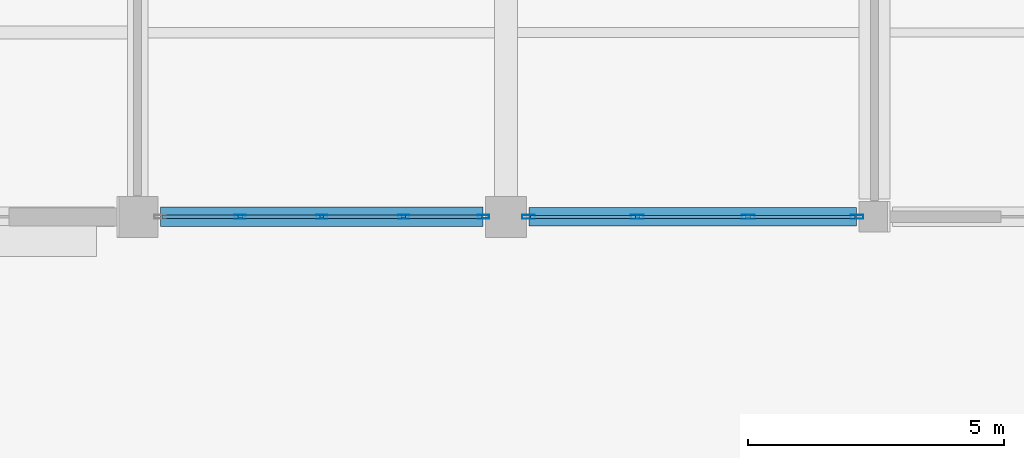
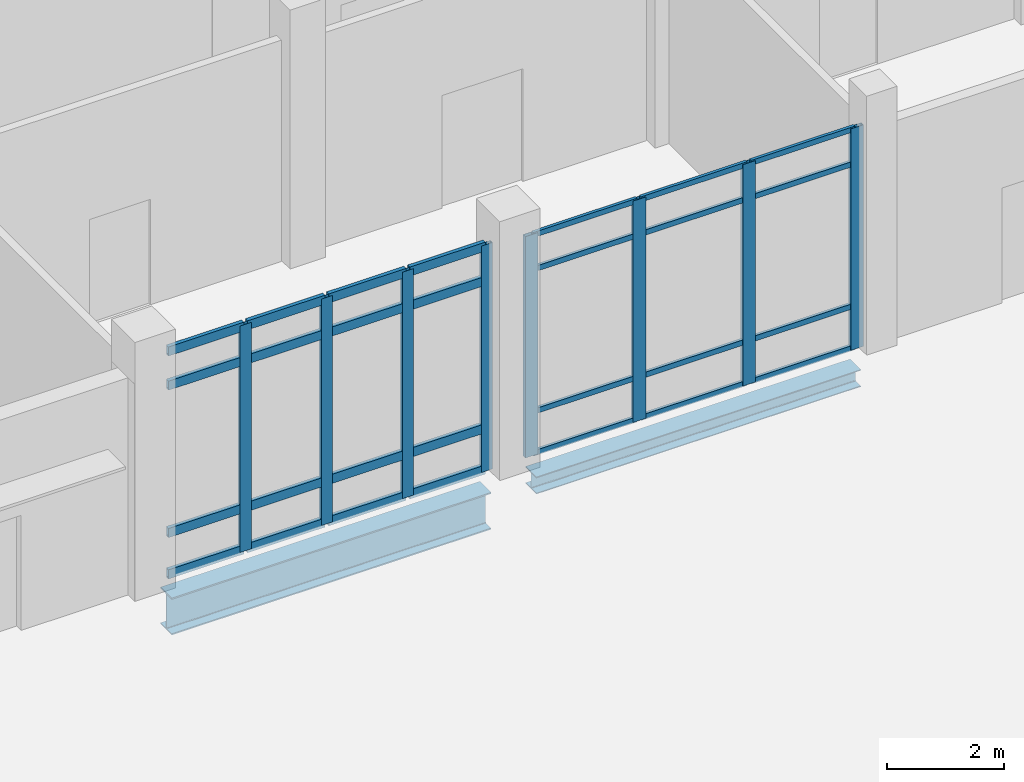
# One storey, part 130 of 229: 36 members, 2 beams, 2 elements without a shape of their own.
"""IFC4 building model written with IfcOpenShell, lengths in metres."""

import ifcopenshell
import ifcopenshell.guid

model = None  # the IFC model being written
_history = None  # IfcOwnerHistory: only IFC2X3 demands one
_inside = {}  # id of a spatial element -> (the spatial element, [elements in it])
_under = {}  # id of a project, library or spatial element -> (it, [spatial elements below it])
_declared = {}  # id of a project -> (the project, [libraries it declares])
_typed = {}  # id of a type object -> (the type object, [elements of that type])
_made_of = {}  # id of a material, layer set ... -> (it, [elements and type objects made of it])


def new_model(schema):
    """Start an empty IFC model of exactly this schema.

    Asked for "IFC4X3", IfcOpenShell would pick the latest addendum, in which some entities
    have other attributes; the version numbers below select the first issue.
    IFC2X3 requires an IfcOwnerHistory on every rooted entity: one is made here for all.
    """
    global model, _history
    if schema == "IFC4X3":
        model = ifcopenshell.file(schema_version=(4, 3, 0, 0))
    else:
        model = ifcopenshell.file(schema=schema)
    _inside.clear()
    _under.clear()
    _declared.clear()
    _typed.clear()
    _made_of.clear()
    _history = None
    if model.schema == "IFC2X3":
        org = make("IfcOrganization", Name="unknown")
        user = make(
            "IfcPersonAndOrganization",
            ThePerson=make("IfcPerson", FamilyName="unknown"),
            TheOrganization=org,
        )
        app = make(
            "IfcApplication",
            ApplicationDeveloper=org,
            Version="unknown",
            ApplicationFullName="unknown",
            ApplicationIdentifier="unknown",
        )
        _history = make(
            "IfcOwnerHistory",
            OwningUser=user,
            OwningApplication=app,
            ChangeAction="ADDED",
            CreationDate=0,
        )
    return model


def make(cls, **values):
    """One entity of the class cls with the attributes given. An attribute that is None is left unset."""
    return model.create_entity(
        cls, **{name: value for name, value in values.items() if value is not None}
    )


def rooted(cls, **values):
    """An entity with a GlobalId (a new one), such as an element, a storey or a relation."""
    return make(cls, GlobalId=ifcopenshell.guid.new(), OwnerHistory=_history, **values)


def si_unit(unit_type, name, prefix=None):
    """IfcSIUnit, for example si_unit("LENGTHUNIT", "METRE", prefix="MILLI")."""
    return make("IfcSIUnit", UnitType=unit_type, Prefix=prefix, Name=name)


def assignment(units):
    """IfcUnitAssignment: the units of a project."""
    return None if units is None else make("IfcUnitAssignment", Units=units)


def point(xyz):
    """IfcCartesianPoint."""
    return None if xyz is None else make("IfcCartesianPoint", Coordinates=xyz)


def direction(xyz):
    """IfcDirection."""
    return None if xyz is None else make("IfcDirection", DirectionRatios=xyz)


def frame(location, z_axis=None, x_axis=None):
    """IfcAxis2Placement3D, a coordinate frame: its origin and axes. An axis left out is left unset."""
    return make(
        "IfcAxis2Placement3D",
        Location=point(location),
        Axis=direction(z_axis),
        RefDirection=direction(x_axis),
    )


def frame_2d(location, x_axis=None):
    """IfcAxis2Placement2D, a coordinate frame in the plane: its origin and x axis."""
    return make(
        "IfcAxis2Placement2D", Location=point(location), RefDirection=direction(x_axis)
    )


def origin():
    """The frame at (0, 0, 0) with its axes left unset."""
    return frame((0.0, 0.0, 0.0))


def origin_2d():
    """The frame at (0, 0) in the plane with its x axis left unset."""
    return frame_2d((0.0, 0.0))


def place(relative_to, where):
    """IfcLocalPlacement: puts the frame where relative to a parent placement (None: the world)."""
    return make(
        "IfcLocalPlacement", PlacementRelTo=relative_to, RelativePlacement=where
    )


def context(
    kind, dimensions, precision=None, world=None, true_north=None, identifier=None
):
    """IfcGeometricRepresentationContext, for example the 3D "Model" context."""
    return make(
        "IfcGeometricRepresentationContext",
        ContextIdentifier=identifier,
        ContextType=kind,
        CoordinateSpaceDimension=dimensions,
        Precision=precision,
        WorldCoordinateSystem=world,
        TrueNorth=true_north,
    )


def subcontext(parent, identifier, kind, view, scale=None):
    """IfcGeometricRepresentationSubContext, for example "Body" below "Model"."""
    return make(
        "IfcGeometricRepresentationSubContext",
        ContextIdentifier=identifier,
        ContextType=kind,
        ParentContext=parent,
        TargetScale=scale,
        TargetView=view,
    )


def project(units=None, contexts=None):
    """IfcProject with its units and contexts."""
    return rooted(
        "IfcProject",
        Name="project",
        RepresentationContexts=contexts,
        UnitsInContext=assignment(units),
    )


def spatial(cls, under=None, at=None, **own):
    """A site, building, storey or space (cls), placed at a placement, below another one or the project."""
    s = rooted(cls, ObjectPlacement=at, **own)
    if under is not None:
        _under.setdefault(under.id(), (under, []))[1].append(s)
    return s


def profile(cls, at=None, kind="AREA", **sizes):
    """A parametric profile (cls). Its sizes go by their IFC names, for example OverallWidth=200.0."""
    return make(cls, ProfileType=kind, Position=at, **sizes)


def hollow_rectangle(**sizes):
    """IfcRectangleHollowProfileDef."""
    return profile("IfcRectangleHollowProfileDef", **sizes)


def i_section(**sizes):
    """IfcIShapeProfileDef."""
    return profile("IfcIShapeProfileDef", **sizes)


def extrude(swept, where, along, depth):
    """IfcExtrudedAreaSolid: the profile swept, set in the frame where, extruded along a direction by depth."""
    return make(
        "IfcExtrudedAreaSolid",
        SweptArea=swept,
        Position=where,
        ExtrudedDirection=direction(along),
        Depth=depth,
    )


def shape(context_of_items, identifier, shape_type, items):
    """IfcShapeRepresentation: the items that make up one representation, for example the "Body"."""
    return make(
        "IfcShapeRepresentation",
        ContextOfItems=context_of_items,
        RepresentationIdentifier=identifier,
        RepresentationType=shape_type,
        Items=items,
    )


def material(Name=None, Category=None):
    """IfcMaterial."""
    return make("IfcMaterial", Name=Name, Category=Category)


def layer(
    of_material, thickness, ventilated=None, Name=None, Category=None, Priority=None
):
    """IfcMaterialLayer: one layer of a wall or slab, of a material (None: an air gap)."""
    return make(
        "IfcMaterialLayer",
        Material=of_material,
        LayerThickness=thickness,
        IsVentilated=ventilated,
        Name=Name,
        Category=Category,
        Priority=Priority,
    )


def layer_set(layers, Name=None):
    """IfcMaterialLayerSet."""
    return make("IfcMaterialLayerSet", MaterialLayers=layers, LayerSetName=Name)


def material_profile(
    of_material, cross_section, Name=None, Category=None, Priority=None
):
    """IfcMaterialProfile: a cross section and its material."""
    return make(
        "IfcMaterialProfile",
        Name=Name,
        Material=of_material,
        Profile=cross_section,
        Priority=Priority,
        Category=Category,
    )


def profile_set(profiles, Name=None, composite=None):
    """IfcMaterialProfileSet."""
    return make(
        "IfcMaterialProfileSet",
        Name=Name,
        MaterialProfiles=profiles,
        CompositeProfile=composite,
    )


def made_of(thing, what):
    """Note that an element or type object is made of a material, layer set ...; save() writes the relation."""
    if what is not None:
        _made_of.setdefault(what.id(), (what, []))[1].append(thing)
    return thing


def type_object(cls, material=None, **own):
    """A type object (cls), such as IfcWallType, which elements share."""
    return made_of(rooted(cls, **own), material)


def element(
    cls,
    number,
    at=None,
    inside=None,
    cuts=None,
    type_object=None,
    material=None,
    context=None,
    identifier="Body",
    shape_type=None,
    held_by="IfcProductDefinitionShape",
    body=None,
    shapes=None,
    **own,
):
    """One element of the class cls, such as IfcWall. Its Tag is "e" and its number.

    at: its placement. inside: the storey or other place that contains it. cuts: it is an
    opening in that element (IfcRelVoidsElement). A single representation is given by context,
    identifier, shape_type and body (its items); several are given by shapes. held_by: the class
    of the entity that holds the representations. save() writes the other relations.
    """
    e = rooted(cls, Tag="e%d" % number, ObjectPlacement=at, **own)
    if body is not None:
        shapes = [shape(context, identifier, shape_type, body)]
    if shapes is not None:
        e.Representation = make(held_by, Representations=shapes)
    if inside is not None:
        _inside.setdefault(inside.id(), (inside, []))[1].append(e)
    if cuts is not None:
        rooted(
            "IfcRelVoidsElement", RelatingBuildingElement=cuts, RelatedOpeningElement=e
        )
    if type_object is not None:
        _typed.setdefault(type_object.id(), (type_object, []))[1].append(e)
    return made_of(e, material)


def aggregate(whole, parts):
    """IfcRelAggregates: a whole, such as a stair, and the parts it consists of."""
    return rooted("IfcRelAggregates", RelatingObject=whole, RelatedObjects=parts)


def save(model, path):
    """Write the relations noted so far, then the file.

    IfcRelAggregates (storeys below a building ...), IfcRelContainedInSpatialStructure (elements
    in a storey), IfcRelDefinesByType, IfcRelAssociatesMaterial and IfcRelDeclares: one each for
    every whole, place, type object, material and project.
    """
    for whole, parts in _under.values():
        aggregate(whole, parts)
    for where, things in _inside.values():
        rooted(
            "IfcRelContainedInSpatialStructure",
            RelatedElements=things,
            RelatingStructure=where,
        )
    for kind, things in _typed.values():
        rooted("IfcRelDefinesByType", RelatedObjects=things, RelatingType=kind)
    for what, things in _made_of.values():
        rooted("IfcRelAssociatesMaterial", RelatedObjects=things, RelatingMaterial=what)
    for by, libraries in _declared.values():
        rooted("IfcRelDeclares", RelatingContext=by, RelatedDefinitions=libraries)
    model.write(path)


model = new_model("IFC4")

# Units and contexts
model_context = context("Model", 3, precision=1e-05, world=origin(), true_north=direction((0.0, 1.0)))
body_context = subcontext(model_context, "Body", "Model", "MODEL_VIEW")
ifc_project = project(units=[si_unit("LENGTHUNIT", "METRE"), si_unit("AREAUNIT", "SQUARE_METRE"), si_unit("VOLUMEUNIT", "CUBIC_METRE"), si_unit("PLANEANGLEUNIT", "RADIAN"), si_unit("MASSUNIT", "GRAM", prefix="KILO")], contexts=[model_context])

# Site, building, storey
site_placement = place(None, origin())
site = spatial("IfcSite", under=ifc_project, at=site_placement, CompositionType="ELEMENT")
building_placement = place(site_placement, origin())
building = spatial("IfcBuilding", under=site, at=building_placement, Name="Calvrana Isthmian Art Gallery", CompositionType="ELEMENT")
storey_placement = place(building_placement, origin())
storey = spatial("IfcBuildingStorey", under=building, at=storey_placement, Name="L00", CompositionType="ELEMENT", Elevation=0.0)

# Beams
ifc_material_1 = material(Name="Steel ASTM A992 Gr 50", Category="steel")
ifc_material_profile_1 = material_profile(ifc_material_1, i_section(OverallWidth=0.381103515625, OverallDepth=0.77197265625, WebThickness=0.0166015625, FlangeThickness=0.027099609375, FilletRadius=0.02490234375, at=origin_2d()), Name="W30X173")
ifc_profile_set_1 = profile_set([ifc_material_profile_1], Name="Steel ASTM A992 Gr 50")
beam_type_1 = type_object("IfcBeamType", Name="BM-G-W30X173", PredefinedType="BEAM", material=ifc_profile_set_1)
beam_1_placement = place(storey_placement, frame((142.050048828125, 76.800048828125, -0.740966796875), z_axis=(1.0, 0.0, 0.0), x_axis=(0.0, 1.0, 0.0)))
element("IfcBeam", 1, at=beam_1_placement, inside=storey, type_object=beam_type_1, Name="Girder X L00 19-20/K", PredefinedType="BEAM", context=body_context, shape_type="SweptSolid", body=[
    extrude(i_section(OverallWidth=0.381103515625, OverallDepth=0.77197265625, WebThickness=0.0166015625, FlangeThickness=0.027099609375, FilletRadius=0.02490234375, at=origin_2d()), origin(), (0.0, 0.0, 1.0), 6.300048828125),
])
ifc_material_profile_2 = material_profile(ifc_material_1, i_section(OverallWidth=0.367919921875, OverallDepth=0.35595703125, WebThickness=0.01123046875, FlangeThickness=0.01806640625, FilletRadius=0.02490234375, at=origin_2d()), Name="W14X90")
ifc_profile_set_2 = profile_set([ifc_material_profile_2], Name="Steel ASTM A992 Gr 50")
beam_type_2 = type_object("IfcBeamType", Name="BM-SP-W14X90", PredefinedType="SPANDREL", material=ifc_profile_set_2)
beam_2_placement = place(storey_placement, frame((149.25, 76.800048828125, -0.532958984375), z_axis=(1.0, 0.0, 0.0), x_axis=(0.0, 1.0, 0.0)))
element("IfcBeam", 2, at=beam_2_placement, inside=storey, type_object=beam_type_2, Name="Girder X L00 20-21/K", PredefinedType="SPANDREL", context=body_context, shape_type="SweptSolid", body=[
    extrude(i_section(OverallWidth=0.367919921875, OverallDepth=0.35595703125, WebThickness=0.01123046875, FlangeThickness=0.01806640625, FilletRadius=0.02490234375, at=origin_2d()), origin(), (0.0, 0.0, 1.0), 6.39990234375),
])

# Curtain wall, members
ifc_material_2 = material(Name="Anodized bronze aluminium 6063-T6", Category="aluminium")
ifc_layer_1 = layer(ifc_material_2, 0.179931640625, Name="Anodized bronze aluminium 6063-T6")
ifc_layer_set_1 = layer_set([ifc_layer_1], Name="Anodized bronze aluminium 6063-T6")
curtain_wall_type_1 = type_object("IfcCurtainWallType", Name="CW-STICK-064X47", PredefinedType="NOTDEFINED", material=ifc_layer_set_1)
curtain_wall_1_placement = place(storey_placement, origin())
curtain_wall_1 = element("IfcCurtainWall", 3, at=curtain_wall_1_placement, inside=storey, type_object=curtain_wall_type_1, Name="Curtain wall CW-034", PredefinedType="NOTDEFINED")
ifc_material_profile_3 = material_profile(ifc_material_2, hollow_rectangle(XDim=0.074951171875, YDim=0.219970703125, WallThickness=0.0048828125, at=origin_2d()), Name="CWM75X220")
ifc_profile_set_3 = profile_set([ifc_material_profile_3], Name="Anodized bronze aluminium 6063-T6")
member_type_1 = type_object("IfcMemberType", Name="CWM-CWM75X220", PredefinedType="MULLION", material=ifc_profile_set_3)
member_1_placement = place(storey_placement, frame((148.362548828125, 76.800048828125, 0.0), z_axis=(0.0, 0.0, 1.0), x_axis=(0.0, -1.0, 0.0)))
member_1 = element("IfcMember", 4, at=member_1_placement, type_object=member_type_1, Name="CW-034 mullion 1", PredefinedType="MULLION", context=body_context, shape_type="SweptSolid", body=[
    extrude(hollow_rectangle(XDim=0.074951171875, YDim=0.219970703125, WallThickness=0.0048828125, at=origin_2d()), origin(), (0.0, 0.0, 1.0), 4.72412109375),
])
member_2_placement = place(storey_placement, frame((146.800048828125, 76.800048828125, 0.0), z_axis=(0.0, 0.0, 1.0), x_axis=(0.0, -1.0, 0.0)))
member_2 = element("IfcMember", 5, at=member_2_placement, type_object=member_type_1, Name="CW-034 mullion 2", PredefinedType="MULLION", context=body_context, shape_type="SweptSolid", body=[
    extrude(hollow_rectangle(XDim=0.074951171875, YDim=0.219970703125, WallThickness=0.0048828125, at=origin_2d()), origin(), (0.0, 0.0, 1.0), 4.72412109375),
])
member_3_placement = place(storey_placement, frame((145.199951171875, 76.800048828125, 0.0), z_axis=(0.0, 0.0, 1.0), x_axis=(0.0, -1.0, 0.0)))
member_3 = element("IfcMember", 6, at=member_3_placement, type_object=member_type_1, Name="CW-034 mullion 3", PredefinedType="MULLION", context=body_context, shape_type="SweptSolid", body=[
    extrude(hollow_rectangle(XDim=0.074951171875, YDim=0.219970703125, WallThickness=0.0048828125, at=origin_2d()), origin(), (0.0, 0.0, 1.0), 4.72412109375),
])
member_4_placement = place(storey_placement, frame((143.60009765625, 76.800048828125, 0.0), z_axis=(0.0, 0.0, 1.0), x_axis=(0.0, -1.0, 0.0)))
member_4 = element("IfcMember", 7, at=member_4_placement, type_object=member_type_1, Name="CW-034 mullion 4", PredefinedType="MULLION", context=body_context, shape_type="SweptSolid", body=[
    extrude(hollow_rectangle(XDim=0.074951171875, YDim=0.219970703125, WallThickness=0.0048828125, at=origin_2d()), origin(), (0.0, 0.0, 1.0), 4.72412109375),
])

ifc_layer_2 = layer(ifc_material_2, 0.179931640625, Name="Anodized bronze aluminium 6063-T6")
ifc_layer_set_2 = layer_set([ifc_layer_2], Name="Anodized bronze aluminium 6063-T6")
curtain_wall_type_2 = type_object("IfcCurtainWallType", Name="CW-STICK-065X46", PredefinedType="NOTDEFINED", material=ifc_layer_set_2)
curtain_wall_2_placement = place(storey_placement, origin())
curtain_wall_2 = element("IfcCurtainWall", 8, at=curtain_wall_2_placement, inside=storey, type_object=curtain_wall_type_2, Name="Curtain wall CW-035", PredefinedType="NOTDEFINED")
ifc_material_profile_4 = material_profile(ifc_material_2, hollow_rectangle(XDim=0.080078125, YDim=0.25, WallThickness=0.005615234375, at=origin_2d()), Name="CWM80X250")
ifc_profile_set_4 = profile_set([ifc_material_profile_4], Name="Anodized bronze aluminium 6063-T6")
member_type_2 = type_object("IfcMemberType", Name="CWM-CWM80X250", PredefinedType="MULLION", material=ifc_profile_set_4)
member_5_placement = place(storey_placement, frame((155.659912109375, 76.800048828125, 0.0), z_axis=(0.0, 0.0, 1.0), x_axis=(0.0, -1.0, 0.0)))
member_5 = element("IfcMember", 9, at=member_5_placement, type_object=member_type_2, Name="CW-035 mullion 1", PredefinedType="MULLION", context=body_context, shape_type="SweptSolid", body=[
    extrude(hollow_rectangle(XDim=0.080078125, YDim=0.25, WallThickness=0.005615234375, at=origin_2d()), origin(), (0.0, 0.0, 1.0), 4.617919921875),
])
member_6_placement = place(storey_placement, frame((153.533447265625, 76.800048828125, 0.0), z_axis=(0.0, 0.0, 1.0), x_axis=(0.0, -1.0, 0.0)))
member_6 = element("IfcMember", 10, at=member_6_placement, type_object=member_type_2, Name="CW-035 mullion 2", PredefinedType="MULLION", context=body_context, shape_type="SweptSolid", body=[
    extrude(hollow_rectangle(XDim=0.080078125, YDim=0.25, WallThickness=0.005615234375, at=origin_2d()), origin(), (0.0, 0.0, 1.0), 4.617919921875),
])
member_7_placement = place(storey_placement, frame((151.36669921875, 76.800048828125, 0.0), z_axis=(0.0, 0.0, 1.0), x_axis=(0.0, -1.0, 0.0)))
member_7 = element("IfcMember", 11, at=member_7_placement, type_object=member_type_2, Name="CW-035 mullion 3", PredefinedType="MULLION", context=body_context, shape_type="SweptSolid", body=[
    extrude(hollow_rectangle(XDim=0.080078125, YDim=0.25, WallThickness=0.005615234375, at=origin_2d()), origin(), (0.0, 0.0, 1.0), 4.617919921875),
])
member_8_placement = place(storey_placement, frame((149.239990234375, 76.800048828125, 0.0), z_axis=(0.0, 0.0, 1.0), x_axis=(0.0, -1.0, 0.0)))
member_8 = element("IfcMember", 12, at=member_8_placement, type_object=member_type_2, Name="CW-035 mullion 4", PredefinedType="MULLION", context=body_context, shape_type="SweptSolid", body=[
    extrude(hollow_rectangle(XDim=0.080078125, YDim=0.25, WallThickness=0.005615234375, at=origin_2d()), origin(), (0.0, 0.0, 1.0), 4.617919921875),
])
ifc_material_profile_5 = material_profile(ifc_material_2, hollow_rectangle(XDim=0.06005859375, YDim=0.110107421875, WallThickness=0.00341796875, at=origin_2d()), Name="CWT60X110")
ifc_profile_set_5 = profile_set([ifc_material_profile_5], Name="Anodized bronze aluminium 6063-T6")
member_type_3 = type_object("IfcMemberType", Name="CWT-CWT60X110", PredefinedType="USERDEFINED", material=ifc_profile_set_5)
member_9_placement = place(storey_placement, frame((155.6201171875, 76.800048828125, 0.030029296875), z_axis=(-1.0, 0.0, 0.0), x_axis=(0.0, -1.0, 0.0)))
member_9 = element("IfcMember", 13, at=member_9_placement, type_object=member_type_3, Name="CW-035 transom 1.1", ObjectType="TRANSOM", PredefinedType="USERDEFINED", context=body_context, shape_type="SweptSolid", body=[
    extrude(hollow_rectangle(XDim=0.06005859375, YDim=0.110107421875, WallThickness=0.00341796875, at=origin_2d()), origin(), (0.0, 0.0, 1.0), 2.046875),
])
member_10_placement = place(storey_placement, frame((155.6201171875, 76.800048828125, 0.89990234375), z_axis=(-1.0, 0.0, 0.0), x_axis=(0.0, -1.0, 0.0)))
member_10 = element("IfcMember", 14, at=member_10_placement, type_object=member_type_3, Name="CW-035 transom 1.2", ObjectType="TRANSOM", PredefinedType="USERDEFINED", context=body_context, shape_type="SweptSolid", body=[
    extrude(hollow_rectangle(XDim=0.06005859375, YDim=0.110107421875, WallThickness=0.00341796875, at=origin_2d()), origin(), (0.0, 0.0, 1.0), 2.046875),
])
member_11_placement = place(storey_placement, frame((155.6201171875, 76.800048828125, 3.867919921875), z_axis=(-1.0, 0.0, 0.0), x_axis=(0.0, -1.0, 0.0)))
member_11 = element("IfcMember", 15, at=member_11_placement, type_object=member_type_3, Name="CW-035 transom 1.3", ObjectType="TRANSOM", PredefinedType="USERDEFINED", context=body_context, shape_type="SweptSolid", body=[
    extrude(hollow_rectangle(XDim=0.06005859375, YDim=0.110107421875, WallThickness=0.00341796875, at=origin_2d()), origin(), (0.0, 0.0, 1.0), 2.046875),
])
member_12_placement = place(storey_placement, frame((155.6201171875, 76.800048828125, 4.587890625), z_axis=(-1.0, 0.0, 0.0), x_axis=(0.0, -1.0, 0.0)))
member_12 = element("IfcMember", 16, at=member_12_placement, type_object=member_type_3, Name="CW-035 transom 1.4", ObjectType="TRANSOM", PredefinedType="USERDEFINED", context=body_context, shape_type="SweptSolid", body=[
    extrude(hollow_rectangle(XDim=0.06005859375, YDim=0.110107421875, WallThickness=0.00341796875, at=origin_2d()), origin(), (0.0, 0.0, 1.0), 2.046875),
])
member_13_placement = place(storey_placement, frame((153.493408203125, 76.800048828125, 0.030029296875), z_axis=(-1.0, 0.0, 0.0), x_axis=(0.0, -1.0, 0.0)))
member_13 = element("IfcMember", 17, at=member_13_placement, type_object=member_type_3, Name="CW-035 transom 2.1", ObjectType="TRANSOM", PredefinedType="USERDEFINED", context=body_context, shape_type="SweptSolid", body=[
    extrude(hollow_rectangle(XDim=0.06005859375, YDim=0.110107421875, WallThickness=0.00341796875, at=origin_2d()), origin(), (0.0, 0.0, 1.0), 2.086669921875),
])
member_14_placement = place(storey_placement, frame((153.493408203125, 76.800048828125, 0.89990234375), z_axis=(-1.0, 0.0, 0.0), x_axis=(0.0, -1.0, 0.0)))
member_14 = element("IfcMember", 18, at=member_14_placement, type_object=member_type_3, Name="CW-035 transom 2.2", ObjectType="TRANSOM", PredefinedType="USERDEFINED", context=body_context, shape_type="SweptSolid", body=[
    extrude(hollow_rectangle(XDim=0.06005859375, YDim=0.110107421875, WallThickness=0.00341796875, at=origin_2d()), origin(), (0.0, 0.0, 1.0), 2.086669921875),
])
member_15_placement = place(storey_placement, frame((153.493408203125, 76.800048828125, 3.867919921875), z_axis=(-1.0, 0.0, 0.0), x_axis=(0.0, -1.0, 0.0)))
member_15 = element("IfcMember", 19, at=member_15_placement, type_object=member_type_3, Name="CW-035 transom 2.3", ObjectType="TRANSOM", PredefinedType="USERDEFINED", context=body_context, shape_type="SweptSolid", body=[
    extrude(hollow_rectangle(XDim=0.06005859375, YDim=0.110107421875, WallThickness=0.00341796875, at=origin_2d()), origin(), (0.0, 0.0, 1.0), 2.086669921875),
])
member_16_placement = place(storey_placement, frame((153.493408203125, 76.800048828125, 4.587890625), z_axis=(-1.0, 0.0, 0.0), x_axis=(0.0, -1.0, 0.0)))
member_16 = element("IfcMember", 20, at=member_16_placement, type_object=member_type_3, Name="CW-035 transom 2.4", ObjectType="TRANSOM", PredefinedType="USERDEFINED", context=body_context, shape_type="SweptSolid", body=[
    extrude(hollow_rectangle(XDim=0.06005859375, YDim=0.110107421875, WallThickness=0.00341796875, at=origin_2d()), origin(), (0.0, 0.0, 1.0), 2.086669921875),
])
member_17_placement = place(storey_placement, frame((151.32666015625, 76.800048828125, 0.030029296875), z_axis=(-1.0, 0.0, 0.0), x_axis=(0.0, -1.0, 0.0)))
member_17 = element("IfcMember", 21, at=member_17_placement, type_object=member_type_3, Name="CW-035 transom 3.1", ObjectType="TRANSOM", PredefinedType="USERDEFINED", context=body_context, shape_type="SweptSolid", body=[
    extrude(hollow_rectangle(XDim=0.06005859375, YDim=0.110107421875, WallThickness=0.00341796875, at=origin_2d()), origin(), (0.0, 0.0, 1.0), 2.046630859375),
])
member_18_placement = place(storey_placement, frame((151.32666015625, 76.800048828125, 0.89990234375), z_axis=(-1.0, 0.0, 0.0), x_axis=(0.0, -1.0, 0.0)))
member_18 = element("IfcMember", 22, at=member_18_placement, type_object=member_type_3, Name="CW-035 transom 3.2", ObjectType="TRANSOM", PredefinedType="USERDEFINED", context=body_context, shape_type="SweptSolid", body=[
    extrude(hollow_rectangle(XDim=0.06005859375, YDim=0.110107421875, WallThickness=0.00341796875, at=origin_2d()), origin(), (0.0, 0.0, 1.0), 2.046630859375),
])
member_19_placement = place(storey_placement, frame((151.32666015625, 76.800048828125, 3.867919921875), z_axis=(-1.0, 0.0, 0.0), x_axis=(0.0, -1.0, 0.0)))
member_19 = element("IfcMember", 23, at=member_19_placement, type_object=member_type_3, Name="CW-035 transom 3.3", ObjectType="TRANSOM", PredefinedType="USERDEFINED", context=body_context, shape_type="SweptSolid", body=[
    extrude(hollow_rectangle(XDim=0.06005859375, YDim=0.110107421875, WallThickness=0.00341796875, at=origin_2d()), origin(), (0.0, 0.0, 1.0), 2.046630859375),
])
member_20_placement = place(storey_placement, frame((151.32666015625, 76.800048828125, 4.587890625), z_axis=(-1.0, 0.0, 0.0), x_axis=(0.0, -1.0, 0.0)))
member_20 = element("IfcMember", 24, at=member_20_placement, type_object=member_type_3, Name="CW-035 transom 3.4", ObjectType="TRANSOM", PredefinedType="USERDEFINED", context=body_context, shape_type="SweptSolid", body=[
    extrude(hollow_rectangle(XDim=0.06005859375, YDim=0.110107421875, WallThickness=0.00341796875, at=origin_2d()), origin(), (0.0, 0.0, 1.0), 2.046630859375),
])
aggregate(curtain_wall_2, [member_5, member_6, member_7, member_8, member_9, member_10, member_11, member_12, member_13, member_14, member_15, member_16, member_17, member_18, member_19, member_20])

# Member
ifc_material_profile_6 = material_profile(ifc_material_2, hollow_rectangle(XDim=0.074951171875, YDim=0.18994140625, WallThickness=0.00439453125, at=origin_2d()), Name="CWT75X190")
ifc_profile_set_6 = profile_set([ifc_material_profile_6], Name="Anodized bronze aluminium 6063-T6")
member_type_4 = type_object("IfcMemberType", Name="CWT-CWT75X190", PredefinedType="USERDEFINED", material=ifc_profile_set_6)
member_21_placement = place(storey_placement, frame((148.324951171875, 76.800048828125, 0.03759765625), z_axis=(-1.0, 0.0, 0.0), x_axis=(0.0, -1.0, 0.0)))
member_21 = element("IfcMember", 25, at=member_21_placement, type_object=member_type_4, Name="CW-034 transom 1.1", ObjectType="TRANSOM", PredefinedType="USERDEFINED", context=body_context, shape_type="SweptSolid", body=[
    extrude(hollow_rectangle(XDim=0.074951171875, YDim=0.18994140625, WallThickness=0.00439453125, at=origin_2d()), origin(), (0.0, 0.0, 1.0), 1.487548828125),
])

member_22_placement = place(storey_placement, frame((148.324951171875, 76.800048828125, 0.89990234375), z_axis=(-1.0, 0.0, 0.0), x_axis=(0.0, -1.0, 0.0)))
member_22 = element("IfcMember", 26, at=member_22_placement, type_object=member_type_4, Name="CW-034 transom 1.2", ObjectType="TRANSOM", PredefinedType="USERDEFINED", context=body_context, shape_type="SweptSolid", body=[
    extrude(hollow_rectangle(XDim=0.074951171875, YDim=0.18994140625, WallThickness=0.00439453125, at=origin_2d()), origin(), (0.0, 0.0, 1.0), 1.487548828125),
])

member_23_placement = place(storey_placement, frame((148.324951171875, 76.800048828125, 3.97412109375), z_axis=(-1.0, 0.0, 0.0), x_axis=(0.0, -1.0, 0.0)))
member_23 = element("IfcMember", 27, at=member_23_placement, type_object=member_type_4, Name="CW-034 transom 1.3", ObjectType="TRANSOM", PredefinedType="USERDEFINED", context=body_context, shape_type="SweptSolid", body=[
    extrude(hollow_rectangle(XDim=0.074951171875, YDim=0.18994140625, WallThickness=0.00439453125, at=origin_2d()), origin(), (0.0, 0.0, 1.0), 1.487548828125),
])

member_24_placement = place(storey_placement, frame((148.324951171875, 76.800048828125, 4.6865234375), z_axis=(-1.0, 0.0, 0.0), x_axis=(0.0, -1.0, 0.0)))
member_24 = element("IfcMember", 28, at=member_24_placement, type_object=member_type_4, Name="CW-034 transom 1.4", ObjectType="TRANSOM", PredefinedType="USERDEFINED", context=body_context, shape_type="SweptSolid", body=[
    extrude(hollow_rectangle(XDim=0.074951171875, YDim=0.18994140625, WallThickness=0.00439453125, at=origin_2d()), origin(), (0.0, 0.0, 1.0), 1.487548828125),
])

member_25_placement = place(storey_placement, frame((146.762451171875, 76.800048828125, 0.03759765625), z_axis=(-1.0, 0.0, 0.0), x_axis=(0.0, -1.0, 0.0)))
member_25 = element("IfcMember", 29, at=member_25_placement, type_object=member_type_4, Name="CW-034 transom 2.1", ObjectType="TRANSOM", PredefinedType="USERDEFINED", context=body_context, shape_type="SweptSolid", body=[
    extrude(hollow_rectangle(XDim=0.074951171875, YDim=0.18994140625, WallThickness=0.00439453125, at=origin_2d()), origin(), (0.0, 0.0, 1.0), 1.52490234375),
])

member_26_placement = place(storey_placement, frame((146.762451171875, 76.800048828125, 0.89990234375), z_axis=(-1.0, 0.0, 0.0), x_axis=(0.0, -1.0, 0.0)))
member_26 = element("IfcMember", 30, at=member_26_placement, type_object=member_type_4, Name="CW-034 transom 2.2", ObjectType="TRANSOM", PredefinedType="USERDEFINED", context=body_context, shape_type="SweptSolid", body=[
    extrude(hollow_rectangle(XDim=0.074951171875, YDim=0.18994140625, WallThickness=0.00439453125, at=origin_2d()), origin(), (0.0, 0.0, 1.0), 1.52490234375),
])

member_27_placement = place(storey_placement, frame((146.762451171875, 76.800048828125, 3.97412109375), z_axis=(-1.0, 0.0, 0.0), x_axis=(0.0, -1.0, 0.0)))
member_27 = element("IfcMember", 31, at=member_27_placement, type_object=member_type_4, Name="CW-034 transom 2.3", ObjectType="TRANSOM", PredefinedType="USERDEFINED", context=body_context, shape_type="SweptSolid", body=[
    extrude(hollow_rectangle(XDim=0.074951171875, YDim=0.18994140625, WallThickness=0.00439453125, at=origin_2d()), origin(), (0.0, 0.0, 1.0), 1.52490234375),
])

member_28_placement = place(storey_placement, frame((146.762451171875, 76.800048828125, 4.6865234375), z_axis=(-1.0, 0.0, 0.0), x_axis=(0.0, -1.0, 0.0)))
member_28 = element("IfcMember", 32, at=member_28_placement, type_object=member_type_4, Name="CW-034 transom 2.4", ObjectType="TRANSOM", PredefinedType="USERDEFINED", context=body_context, shape_type="SweptSolid", body=[
    extrude(hollow_rectangle(XDim=0.074951171875, YDim=0.18994140625, WallThickness=0.00439453125, at=origin_2d()), origin(), (0.0, 0.0, 1.0), 1.52490234375),
])

member_29_placement = place(storey_placement, frame((145.16259765625, 76.800048828125, 0.03759765625), z_axis=(-1.0, 0.0, 0.0), x_axis=(0.0, -1.0, 0.0)))
member_29 = element("IfcMember", 33, at=member_29_placement, type_object=member_type_4, Name="CW-034 transom 3.1", ObjectType="TRANSOM", PredefinedType="USERDEFINED", context=body_context, shape_type="SweptSolid", body=[
    extrude(hollow_rectangle(XDim=0.074951171875, YDim=0.18994140625, WallThickness=0.00439453125, at=origin_2d()), origin(), (0.0, 0.0, 1.0), 1.525146484375),
])

member_30_placement = place(storey_placement, frame((145.16259765625, 76.800048828125, 0.89990234375), z_axis=(-1.0, 0.0, 0.0), x_axis=(0.0, -1.0, 0.0)))
member_30 = element("IfcMember", 34, at=member_30_placement, type_object=member_type_4, Name="CW-034 transom 3.2", ObjectType="TRANSOM", PredefinedType="USERDEFINED", context=body_context, shape_type="SweptSolid", body=[
    extrude(hollow_rectangle(XDim=0.074951171875, YDim=0.18994140625, WallThickness=0.00439453125, at=origin_2d()), origin(), (0.0, 0.0, 1.0), 1.525146484375),
])

member_31_placement = place(storey_placement, frame((145.16259765625, 76.800048828125, 3.97412109375), z_axis=(-1.0, 0.0, 0.0), x_axis=(0.0, -1.0, 0.0)))
member_31 = element("IfcMember", 35, at=member_31_placement, type_object=member_type_4, Name="CW-034 transom 3.3", ObjectType="TRANSOM", PredefinedType="USERDEFINED", context=body_context, shape_type="SweptSolid", body=[
    extrude(hollow_rectangle(XDim=0.074951171875, YDim=0.18994140625, WallThickness=0.00439453125, at=origin_2d()), origin(), (0.0, 0.0, 1.0), 1.525146484375),
])

member_32_placement = place(storey_placement, frame((145.16259765625, 76.800048828125, 4.6865234375), z_axis=(-1.0, 0.0, 0.0), x_axis=(0.0, -1.0, 0.0)))
member_32 = element("IfcMember", 36, at=member_32_placement, type_object=member_type_4, Name="CW-034 transom 3.4", ObjectType="TRANSOM", PredefinedType="USERDEFINED", context=body_context, shape_type="SweptSolid", body=[
    extrude(hollow_rectangle(XDim=0.074951171875, YDim=0.18994140625, WallThickness=0.00439453125, at=origin_2d()), origin(), (0.0, 0.0, 1.0), 1.525146484375),
])

member_33_placement = place(storey_placement, frame((143.5625, 76.800048828125, 0.03759765625), z_axis=(-1.0, 0.0, 0.0), x_axis=(0.0, -1.0, 0.0)))
member_33 = element("IfcMember", 37, at=member_33_placement, type_object=member_type_4, Name="CW-034 transom 4.1", ObjectType="TRANSOM", PredefinedType="USERDEFINED", context=body_context, shape_type="SweptSolid", body=[
    extrude(hollow_rectangle(XDim=0.074951171875, YDim=0.18994140625, WallThickness=0.00439453125, at=origin_2d()), origin(), (0.0, 0.0, 1.0), 1.487548828125),
])

member_34_placement = place(storey_placement, frame((143.5625, 76.800048828125, 0.89990234375), z_axis=(-1.0, 0.0, 0.0), x_axis=(0.0, -1.0, 0.0)))
member_34 = element("IfcMember", 38, at=member_34_placement, type_object=member_type_4, Name="CW-034 transom 4.2", ObjectType="TRANSOM", PredefinedType="USERDEFINED", context=body_context, shape_type="SweptSolid", body=[
    extrude(hollow_rectangle(XDim=0.074951171875, YDim=0.18994140625, WallThickness=0.00439453125, at=origin_2d()), origin(), (0.0, 0.0, 1.0), 1.487548828125),
])

member_35_placement = place(storey_placement, frame((143.5625, 76.800048828125, 3.97412109375), z_axis=(-1.0, 0.0, 0.0), x_axis=(0.0, -1.0, 0.0)))
member_35 = element("IfcMember", 39, at=member_35_placement, type_object=member_type_4, Name="CW-034 transom 4.3", ObjectType="TRANSOM", PredefinedType="USERDEFINED", context=body_context, shape_type="SweptSolid", body=[
    extrude(hollow_rectangle(XDim=0.074951171875, YDim=0.18994140625, WallThickness=0.00439453125, at=origin_2d()), origin(), (0.0, 0.0, 1.0), 1.487548828125),
])

member_36_placement = place(storey_placement, frame((143.5625, 76.800048828125, 4.6865234375), z_axis=(-1.0, 0.0, 0.0), x_axis=(0.0, -1.0, 0.0)))
member_36 = element("IfcMember", 40, at=member_36_placement, type_object=member_type_4, Name="CW-034 transom 4.4", ObjectType="TRANSOM", PredefinedType="USERDEFINED", context=body_context, shape_type="SweptSolid", body=[
    extrude(hollow_rectangle(XDim=0.074951171875, YDim=0.18994140625, WallThickness=0.00439453125, at=origin_2d()), origin(), (0.0, 0.0, 1.0), 1.487548828125),
])

aggregate(curtain_wall_1, [member_1, member_2, member_3, member_4, member_21, member_22, member_23, member_24, member_25, member_26, member_27, member_28, member_29, member_30, member_31, member_32, member_33, member_34, member_35, member_36])

save(model, "model.ifc")
